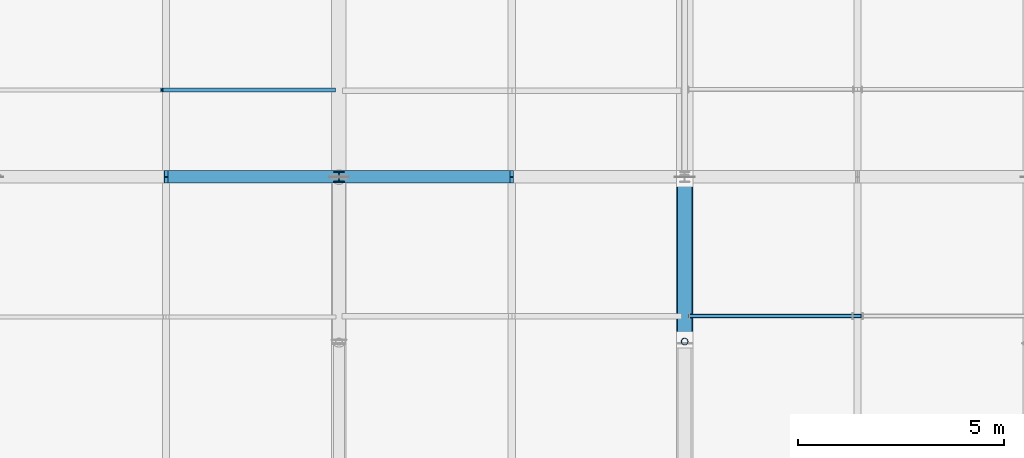
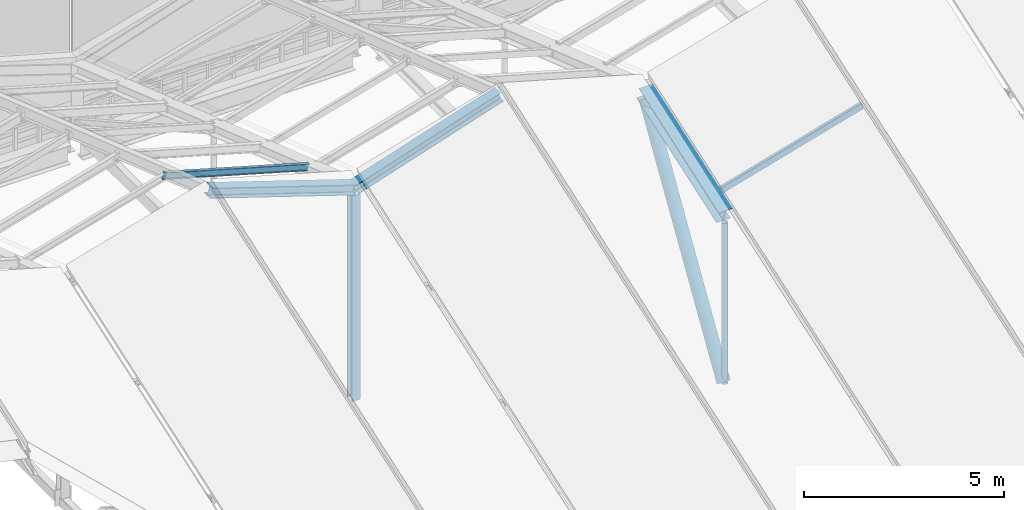
# One storey, part 27 of 77: 8 members.
"""IFC4 building model written with IfcOpenShell, lengths in metres."""

from ifc_helpers import new_model, si_unit, direction, frame, origin, origin_2d, place, context, subcontext, project, spatial, hollow_rectangle, hollow_circle, i_section, extrude, material, material_profile, profile_set, type_object, element, save


model = new_model("IFC4")

# Units and contexts
model_context = context("Model", 3, precision=1e-05, world=origin(), true_north=direction((0.0, 1.0)))
body_context = subcontext(model_context, "Body", "Model", "MODEL_VIEW")
ifc_project = project(units=[si_unit("LENGTHUNIT", "METRE"), si_unit("AREAUNIT", "SQUARE_METRE"), si_unit("VOLUMEUNIT", "CUBIC_METRE"), si_unit("PLANEANGLEUNIT", "RADIAN"), si_unit("MASSUNIT", "GRAM", prefix="KILO")], contexts=[model_context])

# Site, building, storey
site_placement = place(None, origin())
site = spatial("IfcSite", under=ifc_project, at=site_placement, CompositionType="ELEMENT")
building_placement = place(site_placement, origin())
building = spatial("IfcBuilding", under=site, at=building_placement, Name="Larkvane Passage Sports Hall", CompositionType="ELEMENT")
storey_placement = place(building_placement, frame((0.0, 0.0, 22.199951171875)))
storey = spatial("IfcBuildingStorey", under=building, at=storey_placement, Name="RF", CompositionType="ELEMENT", Elevation=22.199951171875)

# Members
ifc_material_1 = material(Name="Steel S460N", Category="steel")
ifc_material_profile_1 = material_profile(ifc_material_1, hollow_circle(Radius=0.177734375, WallThickness=0.0126953125, at=origin_2d()), Name="CHS-355.6x12.7")
ifc_profile_set_1 = profile_set([ifc_material_profile_1], Name="Steel S460N")
member_type_1 = type_object("IfcMemberType", Name="MBR-BR-CHS355", PredefinedType="BRACE", material=ifc_profile_set_1)
member_1_placement = place(storey_placement, frame((76.800048828125, 57.64990234375, 0.18994140625), z_axis=(0.0, 0.52636595779, 0.850258124618), x_axis=(-1.0, 0.0, 0.0)))
element("IfcMember", 1, at=member_1_placement, inside=storey, type_object=member_type_1, Name="Arena roof truss 6 web brace 4", PredefinedType="BRACE", context=body_context, shape_type="SweptSolid", body=[
    extrude(hollow_circle(Radius=0.177734375, WallThickness=0.0126953125, at=origin_2d()), origin(), (0.0, 0.0, 1.0), 7.40966796875),
])
ifc_material_profile_2 = material_profile(ifc_material_1, i_section(OverallWidth=0.300048828125, OverallDepth=0.300048828125, WebThickness=0.010009765625, FlangeThickness=0.014892578125, FilletRadius=0.012939453125, at=origin_2d()), Name="H-300x300x10x15")
ifc_profile_set_2 = profile_set([ifc_material_profile_2], Name="Steel S460N")
member_type_2 = type_object("IfcMemberType", Name="MBR-CH-H300", PredefinedType="CHORD", material=ifc_profile_set_2)
member_2_placement = place(storey_placement, frame((64.199951171875, 61.60009765625, 8.050048828125), z_axis=(0.950691943721, 0.0, -0.310136789407), x_axis=(0.0, 1.0, 0.0)))
element("IfcMember", 2, at=member_2_placement, inside=storey, type_object=member_type_2, Name="Arena roof fold tie 4-RIDGE-E", PredefinedType="CHORD", context=body_context, shape_type="SweptSolid", body=[
    extrude(i_section(OverallWidth=0.300048828125, OverallDepth=0.300048828125, WebThickness=0.010009765625, FlangeThickness=0.014892578125, FilletRadius=0.012939453125, at=origin_2d()), origin(), (0.0, 0.0, 1.0), 4.417724609375),
])
member_3_placement = place(storey_placement, frame((68.39990234375, 61.60009765625, 6.679931640625), z_axis=(0.950697258779, 0.0, 0.310120496179), x_axis=(0.0, 1.0, 0.0)))
element("IfcMember", 3, at=member_3_placement, inside=storey, type_object=member_type_2, Name="Arena roof fold tie 5-RIDGE-W", PredefinedType="CHORD", context=body_context, shape_type="SweptSolid", body=[
    extrude(i_section(OverallWidth=0.300048828125, OverallDepth=0.300048828125, WebThickness=0.010009765625, FlangeThickness=0.014892578125, FilletRadius=0.012939453125, at=origin_2d()), origin(), (0.0, 0.0, 1.0), 4.41796875),
])
ifc_material_profile_3 = material_profile(ifc_material_1, i_section(OverallWidth=0.39990234375, OverallDepth=0.39990234375, WebThickness=0.012939453125, FlangeThickness=0.02099609375, FilletRadius=0.02197265625, at=origin_2d()), Name="H-400x400x13x21")
ifc_profile_set_3 = profile_set([ifc_material_profile_3], Name="Steel S460N")
member_type_3 = type_object("IfcMemberType", Name="MBR-CH-H400", PredefinedType="CHORD", material=ifc_profile_set_3)
member_4_placement = place(storey_placement, frame((76.800048828125, 57.60009765625, 5.29833984375), z_axis=(0.0, 0.945206714131, 0.326472460649), x_axis=(-1.0, 0.0, 0.0)))
element("IfcMember", 4, at=member_4_placement, inside=storey, type_object=member_type_3, Name="Arena roof truss 6 top chord 4", PredefinedType="CHORD", context=body_context, shape_type="SweptSolid", body=[
    extrude(i_section(OverallWidth=0.39990234375, OverallDepth=0.39990234375, WebThickness=0.012939453125, FlangeThickness=0.02099609375, FilletRadius=0.02197265625, at=origin_2d()), origin(), (0.0, 0.0, 1.0), 4.23193359375),
])
ifc_material_2 = material(Name="Steel S355JR", Category="steel")
ifc_material_profile_4 = material_profile(ifc_material_2, i_section(OverallWidth=0.10009765625, OverallDepth=0.199951171875, WebThickness=0.005615234375, FlangeThickness=0.008056640625, FilletRadius=0.008056640625, at=origin_2d()), Name="H-200x100x5.5x8")
ifc_profile_set_4 = profile_set([ifc_material_profile_4], Name="Steel S355JR")
member_type_4 = type_object("IfcMemberType", Name="MBR-PR-H200", PredefinedType="PURLIN", material=ifc_profile_set_4)
member_5_placement = place(storey_placement, frame((64.09423828125, 63.713134765625, 7.26220703125), z_axis=(0.961530274547, 0.0, -0.27469898276), x_axis=(0.0, 1.0, 0.0)))
element("IfcMember", 5, at=member_5_placement, inside=storey, type_object=member_type_4, Name="Folded roof purlin FRP-B4-NE-1", PredefinedType="PURLIN", context=body_context, shape_type="SweptSolid", body=[
    extrude(i_section(OverallWidth=0.10009765625, OverallDepth=0.199951171875, WebThickness=0.005615234375, FlangeThickness=0.008056640625, FilletRadius=0.008056640625, at=origin_2d()), origin(), (0.0, 0.0, 1.0), 4.3681640625),
])
ifc_material_profile_5 = material_profile(ifc_material_2, hollow_rectangle(XDim=0.10009765625, YDim=0.199951171875, WallThickness=0.008056640625, InnerFilletRadius=0.008056640625, OuterFilletRadius=0.01611328125, at=origin_2d()), Name="RHS-200x100x8")
ifc_profile_set_5 = profile_set([ifc_material_profile_5], Name="Steel S355JR")
member_type_5 = type_object("IfcMemberType", Name="MBR-PR-RHS200", PredefinedType="PURLIN", material=ifc_profile_set_5)
member_6_placement = place(storey_placement, frame((76.916015625, 58.22021484375, 5.577880859375), z_axis=(0.961511291812, 0.0, 0.274765419436), x_axis=(0.0, 1.0, 0.0)))
element("IfcMember", 6, at=member_6_placement, inside=storey, type_object=member_type_5, Name="Folded roof purlin FRP-B6-SW-5", PredefinedType="PURLIN", context=body_context, shape_type="SweptSolid", body=[
    extrude(hollow_rectangle(XDim=0.10009765625, YDim=0.199951171875, WallThickness=0.008056640625, InnerFilletRadius=0.008056640625, OuterFilletRadius=0.01611328125, at=origin_2d()), origin(), (0.0, 0.0, 1.0), 4.3681640625),
])
ifc_material_profile_6 = material_profile(ifc_material_2, hollow_circle(Radius=0.08251953125, WallThickness=0.006103515625, at=origin_2d()), Name="CHS-165.2x6.0")
ifc_profile_set_6 = profile_set([ifc_material_profile_6], Name="Steel S355JR")
member_type_6 = type_object("IfcMemberType", Name="MBR-ST-CHS165", PredefinedType="STRUT", material=ifc_profile_set_6)
member_7_placement = place(storey_placement, frame((76.800048828125, 57.60009765625, 0.18994140625), z_axis=(0.0, 0.0, 1.0), x_axis=(1.0, 0.0, 0.0)))
element("IfcMember", 7, at=member_7_placement, inside=storey, type_object=member_type_6, Name="Arena roof truss 6 vertical strut 3", PredefinedType="STRUT", context=body_context, shape_type="SweptSolid", body=[
    extrude(hollow_circle(Radius=0.08251953125, WallThickness=0.006103515625, at=origin_2d()), origin(), (0.0, 0.0, 1.0), 4.918212890625),
])
ifc_material_profile_7 = material_profile(ifc_material_2, i_section(OverallWidth=0.25, OverallDepth=0.25, WebThickness=0.009033203125, FlangeThickness=0.013916015625, FilletRadius=0.012939453125, at=origin_2d()), Name="H-250x250x9x14")
ifc_profile_set_7 = profile_set([ifc_material_profile_7], Name="Steel S355JR")
member_type_7 = type_object("IfcMemberType", Name="MBR-ST-H250", PredefinedType="STRUT", material=ifc_profile_set_7)
member_8_placement = place(storey_placement, frame((68.39990234375, 61.60009765625, 0.239990234375), z_axis=(0.0, 0.0, 1.0), x_axis=(1.0, 0.0, 0.0)))
element("IfcMember", 8, at=member_8_placement, inside=storey, type_object=member_type_7, Name="Arena roof truss 5 vertical strut 4", PredefinedType="STRUT", context=body_context, shape_type="SweptSolid", body=[
    extrude(i_section(OverallWidth=0.25, OverallDepth=0.25, WebThickness=0.009033203125, FlangeThickness=0.013916015625, FilletRadius=0.012939453125, at=origin_2d()), origin(), (0.0, 0.0, 1.0), 6.275146484375),
])

save(model, "model.ifc")
